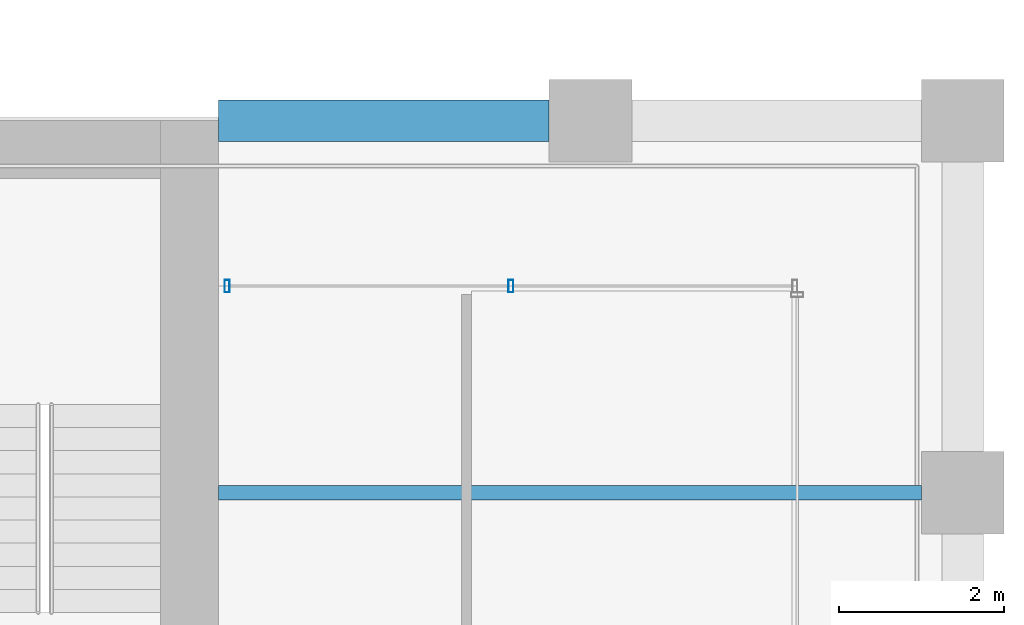
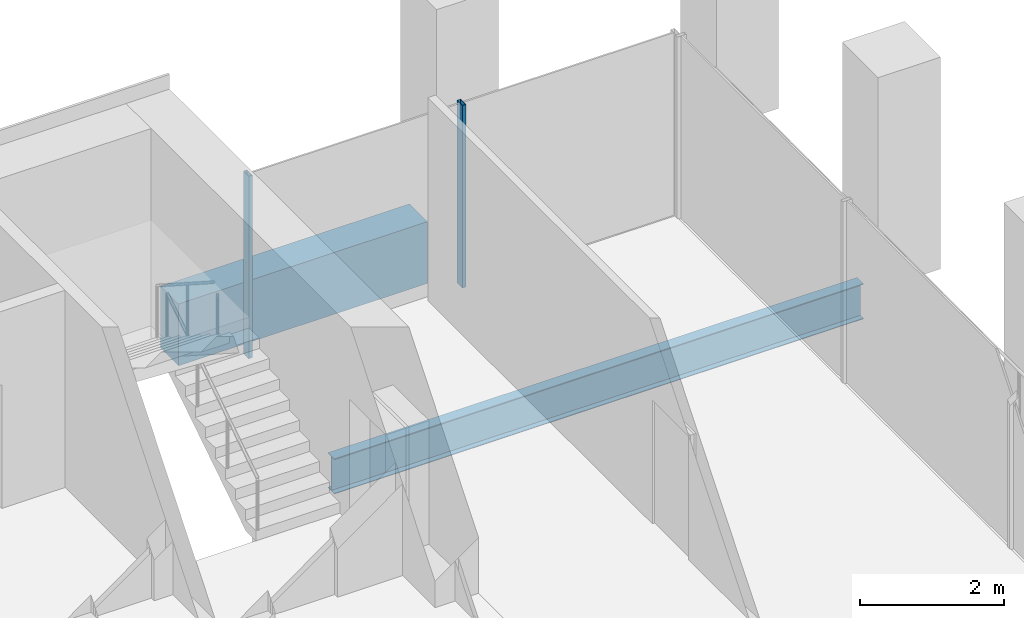
# One storey, part 36 of 46: 2 beams, 2 members, 1 element without a shape of its own.
"""IFC4 building model written with IfcOpenShell, lengths in metres."""

from ifc_helpers import new_model, si_unit, direction, frame, origin, origin_2d, place, context, subcontext, project, spatial, rectangle, hollow_rectangle, i_section, extrude, material, material_profile, profile_set, type_object, element, aggregate, save


model = new_model("IFC4")

# Units and contexts
model_context = context("Model", 3, precision=1e-05, world=origin(), true_north=direction((0.0, 1.0)))
body_context = subcontext(model_context, "Body", "Model", "MODEL_VIEW")
ifc_project = project(units=[si_unit("LENGTHUNIT", "METRE"), si_unit("AREAUNIT", "SQUARE_METRE"), si_unit("VOLUMEUNIT", "CUBIC_METRE"), si_unit("PLANEANGLEUNIT", "RADIAN"), si_unit("MASSUNIT", "GRAM", prefix="KILO")], contexts=[model_context])

# Site, building, storey
site_placement = place(None, origin())
site = spatial("IfcSite", under=ifc_project, at=site_placement, CompositionType="ELEMENT")
building_placement = place(site_placement, origin())
building = spatial("IfcBuilding", under=site, at=building_placement, Name="Altepetl Exchange Towers", CompositionType="ELEMENT")
storey_placement = place(building_placement, frame((0.0, 0.0, 102.800048828125)))
storey = spatial("IfcBuildingStorey", under=building, at=storey_placement, Name="L25", CompositionType="ELEMENT", Elevation=102.800048828125)

# Beam
ifc_material_1 = material(Name="Steel S355", Category="steel")
ifc_material_profile_1 = material_profile(ifc_material_1, i_section(OverallWidth=0.177978515625, OverallDepth=0.59912109375, WebThickness=0.010009765625, FlangeThickness=0.0126953125, at=origin_2d()), Name="W24X55")
ifc_profile_set_1 = profile_set([ifc_material_profile_1], Name="Steel S355")
beam_type_1 = type_object("IfcBeamType", Name="Floor beam W24X55", PredefinedType="BEAM", material=ifc_profile_set_1)
beam_1_placement = place(storey_placement, frame((117.0, 45.0, -0.449462890625), z_axis=(1.0, 0.0, 0.0), x_axis=(0.0, 1.0, 0.0)))
element("IfcBeam", 1, at=beam_1_placement, inside=storey, type_object=beam_type_1, Name="bm:B:L25:003", PredefinedType="BEAM", context=body_context, shape_type="SweptSolid", body=[
    extrude(i_section(OverallWidth=0.177978515625, OverallDepth=0.59912109375, WebThickness=0.010009765625, FlangeThickness=0.0126953125, at=origin_2d()), origin(), (0.0, 0.0, 1.0), 8.5),
])

# Curtain wall, members
ifc_material_2 = material(Name="Aluminium 6063-T6 glazing", Category="aluminium")
curtain_wall_type = type_object("IfcCurtainWallType", Name="Loggia glazing system", PredefinedType="NOTDEFINED", material=ifc_material_2)
curtain_wall_placement = place(storey_placement, origin())
curtain_wall = element("IfcCurtainWall", 2, at=curtain_wall_placement, inside=storey, type_object=curtain_wall_type, Name="CW1 run", PredefinedType="NOTDEFINED")
ifc_material_3 = material(Name="Aluminium 6063-T6", Category="aluminium")
ifc_material_profile_2 = material_profile(ifc_material_3, hollow_rectangle(XDim=0.06005859375, YDim=0.14990234375, WallThickness=0.0029296875, at=origin_2d()), Name="Mullion 60x150 aluminium")
ifc_profile_set_2 = profile_set([ifc_material_profile_2], Name="Aluminium 6063-T6")
member_type = type_object("IfcMemberType", Name="Mullion 60x150 aluminium", PredefinedType="MULLION", material=ifc_profile_set_2)
member_1_placement = place(storey_placement, frame((120.53759765625, 47.5, 0.0), z_axis=(0.0, 0.0, 1.0), x_axis=(-1.0, 0.0, 0.0)))
member_1 = element("IfcMember", 3, at=member_1_placement, type_object=member_type, Name="MU1 mullion", PredefinedType="MULLION", context=body_context, shape_type="SweptSolid", body=[
    extrude(hollow_rectangle(XDim=0.06005859375, YDim=0.14990234375, WallThickness=0.0029296875, at=origin_2d()), origin(), (0.0, 0.0, 1.0), 3.099853515625),
])
member_2_placement = place(storey_placement, frame((117.10498046875, 47.5, 0.0), z_axis=(0.0, 0.0, 1.0), x_axis=(-1.0, 0.0, 0.0)))
member_2 = element("IfcMember", 4, at=member_2_placement, type_object=member_type, Name="MU1 mullion", PredefinedType="MULLION", context=body_context, shape_type="SweptSolid", body=[
    extrude(hollow_rectangle(XDim=0.06005859375, YDim=0.14990234375, WallThickness=0.0029296875, at=origin_2d()), origin(), (0.0, 0.0, 1.0), 3.099853515625),
])
aggregate(curtain_wall, [member_1, member_2])

# Beam
ifc_material_4 = material(Name="Concrete C50/60 precast with cantera amarilla facing", Category="concrete")
ifc_material_profile_3 = material_profile(ifc_material_4, rectangle(XDim=0.5, YDim=1.050048828125, at=origin_2d()), Name="500 x 1050")
ifc_profile_set_3 = profile_set([ifc_material_profile_3], Name="Concrete C50/60 precast with cantera amarilla facing")
beam_type_2 = type_object("IfcBeamType", Name="Spandrel beam 500x1050 cantera amarilla", PredefinedType="SPANDREL", material=ifc_profile_set_3)
beam_2_placement = place(storey_placement, frame((121.0, 49.5, -0.675048828125), z_axis=(-1.0, 0.0, 0.0), x_axis=(0.0, -1.0, 0.0)))
element("IfcBeam", 5, at=beam_2_placement, inside=storey, type_object=beam_type_2, Name="sp:B:L25:014", PredefinedType="SPANDREL", context=body_context, shape_type="SweptSolid", body=[
    extrude(rectangle(XDim=0.5, YDim=1.050048828125, at=origin_2d()), origin(), (0.0, 0.0, 1.0), 4.0),
])

save(model, "model.ifc")
